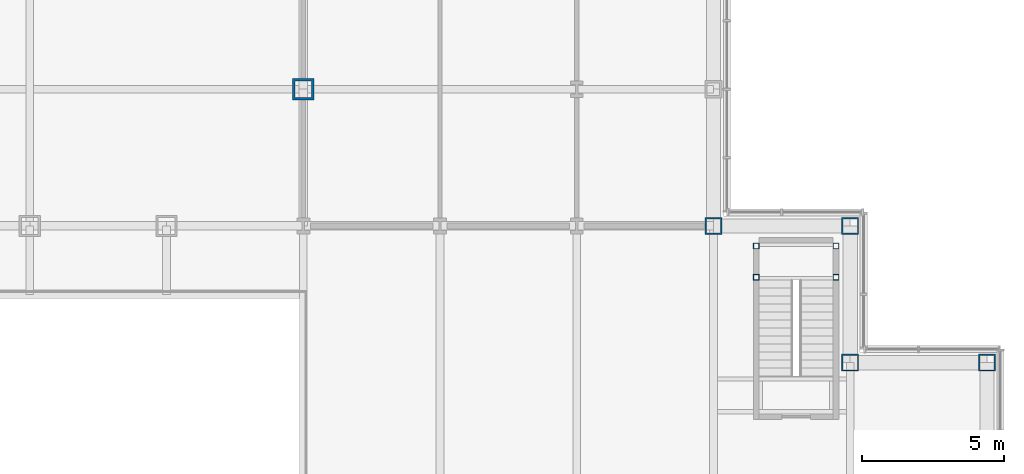
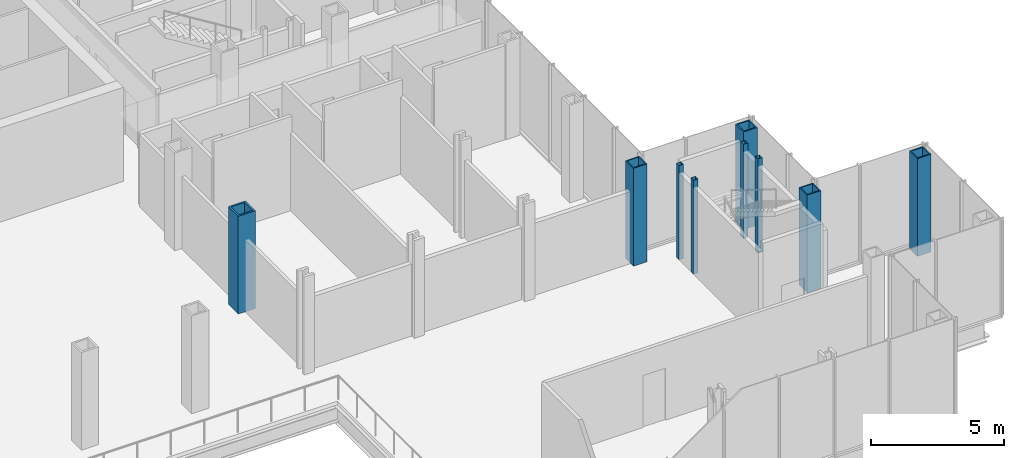
# One storey, part 5 of 25: 9 columns.
"""IFC4 building model written with IfcOpenShell, lengths in metres."""

from ifc_helpers import new_model, si_unit, direction, frame, origin, origin_2d, place, context, subcontext, project, spatial, hollow_rectangle, extrude, material, material_profile, profile_set, type_object, element, save


model = new_model("IFC4")

# Units and contexts
model_context = context("Model", 3, precision=1e-05, world=origin(), true_north=direction((0.0, 1.0)))
body_context = subcontext(model_context, "Body", "Model", "MODEL_VIEW")
ifc_project = project(units=[si_unit("LENGTHUNIT", "METRE"), si_unit("AREAUNIT", "SQUARE_METRE"), si_unit("VOLUMEUNIT", "CUBIC_METRE"), si_unit("PLANEANGLEUNIT", "RADIAN"), si_unit("MASSUNIT", "GRAM", prefix="KILO")], contexts=[model_context])

# Site, building, storey
site_placement = place(None, origin())
site = spatial("IfcSite", under=ifc_project, at=site_placement, CompositionType="ELEMENT")
building_placement = place(site_placement, origin())
building = spatial("IfcBuilding", under=site, at=building_placement, Name="Kvirike Care Tower", CompositionType="ELEMENT")
storey_placement = place(building_placement, frame((0.0, 0.0, 13.5)))
storey = spatial("IfcBuildingStorey", under=building, at=storey_placement, Name="L03", CompositionType="ELEMENT", Elevation=13.5)

# Columns
ifc_material_1 = material(Name="Steel S460", Category="steel")
ifc_material_profile_1 = material_profile(ifc_material_1, hollow_rectangle(XDim=0.60009765625, YDim=0.60009765625, WallThickness=0.050048828125, at=origin_2d()), Name="BX 600x600x50")
ifc_profile_set_1 = profile_set([ifc_material_profile_1], Name="Steel S460")
column_type_1 = type_object("IfcColumnType", Name="COLUMN BX 600x600x50", PredefinedType="COLUMN", material=ifc_profile_set_1)
for number, where, z_axis, x_axis, name in (
    (1, (43.199951171875, 14.39990234375, 0.0), (0.0, 0.0, 1.0), (0.0, 1.0, 0.0), "Column D12 L03"),
    (2, (48.0, 9.60009765625, 0.0), (0.0, 0.0, 1.0), (0.0, 1.0, 0.0), "Column C13 L03"),
    (3, (48.0, 14.39990234375, 0.0), (0.0, 0.0, 1.0), (0.0, 1.0, 0.0), "Column D13 L03"),
    (4, (52.800048828125, 9.60009765625, 0.0), (0.0, 0.0, 1.0), (0.0, 1.0, 0.0), "Column C14 L03"),
):
    element("IfcColumn", number, at=place(storey_placement, frame(where, z_axis=z_axis, x_axis=x_axis)), inside=storey, type_object=column_type_1, Name=name, PredefinedType="COLUMN", context=body_context, shape_type="SweptSolid", body=[
        extrude(hollow_rectangle(XDim=0.60009765625, YDim=0.60009765625, WallThickness=0.050048828125, at=origin_2d()), origin(), (0.0, 0.0, 1.0), 4.5),
    ])
ifc_material_2 = material(Name="Steel S460", Category="steel")
ifc_material_profile_2 = material_profile(ifc_material_2, hollow_rectangle(XDim=0.75, YDim=0.75, WallThickness=0.080078125, at=origin_2d()), Name="BX 750x750x80")
ifc_profile_set_2 = profile_set([ifc_material_profile_2], Name="Steel S460")
column_type_2 = type_object("IfcColumnType", Name="COLUMN BX 750x750x80", PredefinedType="COLUMN", material=ifc_profile_set_2)
column_placement = place(storey_placement, frame((28.800048828125, 19.199951171875, 0.0), z_axis=(0.0, 0.0, 1.0), x_axis=(1.0, 0.0, 0.0)))
element("IfcColumn", 5, at=column_placement, inside=storey, type_object=column_type_2, Name="Column E9 L03", PredefinedType="COLUMN", context=body_context, shape_type="SweptSolid", body=[
    extrude(hollow_rectangle(XDim=0.75, YDim=0.75, WallThickness=0.080078125, at=origin_2d()), origin(), (0.0, 0.0, 1.0), 4.5),
])
ifc_material_3 = material(Name="Steel S460", Category="steel")
ifc_material_profile_3 = material_profile(ifc_material_3, hollow_rectangle(XDim=0.199951171875, YDim=0.199951171875, WallThickness=0.008056640625, at=origin_2d()), Name="SHS 200x200x8")
ifc_profile_set_3 = profile_set([ifc_material_profile_3], Name="Steel S460")
column_type_3 = type_object("IfcColumnType", Name="STAIR POST SHS 200x200x8", PredefinedType="COLUMN", material=ifc_profile_set_3)
for number, where, z_axis, x_axis, name in (
    (6, (44.699951171875, 13.699951171875, 0.0), (0.0, 0.0, 1.0), (1.0, 0.0, 0.0), "Stair 4 post 1 L03"),
    (7, (47.5, 13.699951171875, 0.0), (0.0, 0.0, 1.0), (1.0, 0.0, 0.0), "Stair 4 post 2 L03"),
    (8, (44.699951171875, 12.60009765625, 0.0), (0.0, 0.0, 1.0), (1.0, 0.0, 0.0), "Stair 4 post 3 L03"),
    (9, (47.5, 12.60009765625, 0.0), (0.0, 0.0, 1.0), (1.0, 0.0, 0.0), "Stair 4 post 4 L03"),
):
    element("IfcColumn", number, at=place(storey_placement, frame(where, z_axis=z_axis, x_axis=x_axis)), inside=storey, type_object=column_type_3, Name=name, PredefinedType="COLUMN", context=body_context, shape_type="SweptSolid", body=[
        extrude(hollow_rectangle(XDim=0.199951171875, YDim=0.199951171875, WallThickness=0.008056640625, at=origin_2d()), origin(), (0.0, 0.0, 1.0), 4.330078125),
    ])

save(model, "model.ifc")
